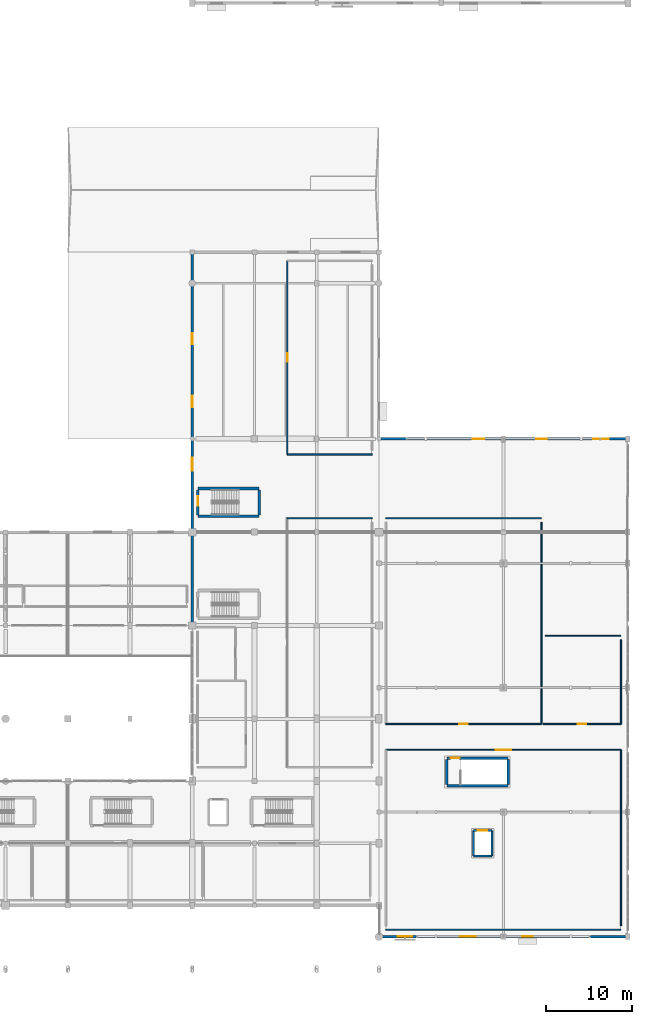
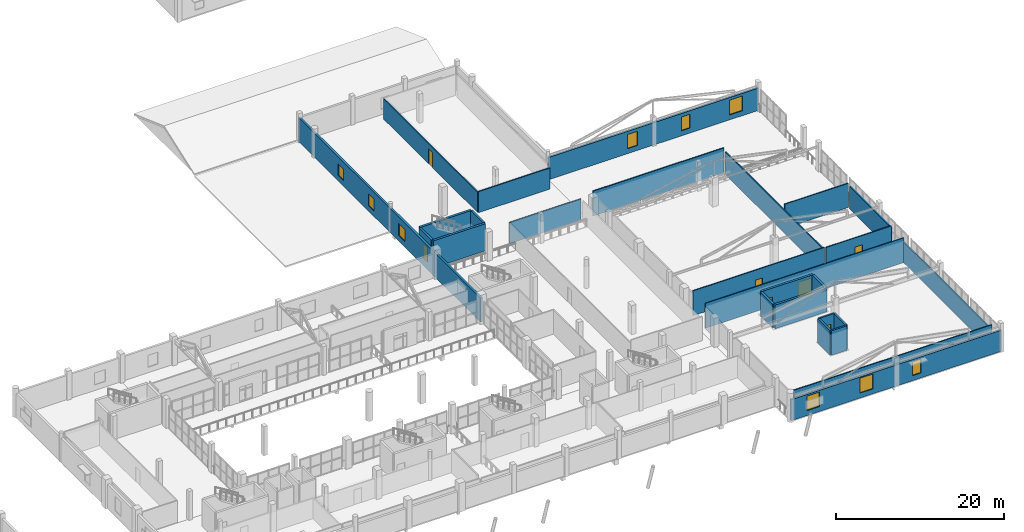
# One storey, part 70 of 92: 27 walls, 9 windows, 7 doors, 16 openings.
"""IFC4 building model written with IfcOpenShell, lengths in metres."""

from ifc_helpers import new_model, si_unit, direction, frame, frame_2d, origin, place, context, subcontext, project, spatial, rectangle, extrude, material, layer, layer_set, type_object, element, fill, save


model = new_model("IFC4")

# Units and contexts
model_context = context("Model", 3, precision=1e-05, world=origin(), true_north=direction((0.0, 1.0)))
body_context = subcontext(model_context, "Body", "Model", "MODEL_VIEW")
ifc_project = project(units=[si_unit("LENGTHUNIT", "METRE"), si_unit("AREAUNIT", "SQUARE_METRE"), si_unit("VOLUMEUNIT", "CUBIC_METRE"), si_unit("PLANEANGLEUNIT", "RADIAN"), si_unit("MASSUNIT", "GRAM", prefix="KILO")], contexts=[model_context])

# Site, building, storey
site_placement = place(None, origin())
site = spatial("IfcSite", under=ifc_project, at=site_placement, CompositionType="ELEMENT")
building_placement = place(site_placement, origin())
building = spatial("IfcBuilding", under=site, at=building_placement, Name="Solanera Park Tramway Depot", CompositionType="ELEMENT")
storey_placement = place(building_placement, frame((0.0, 0.0, 4.800048828125)))
storey = spatial("IfcBuildingStorey", under=building, at=storey_placement, Name="L01", CompositionType="ELEMENT", Elevation=4.800048828125)

# Walls
ifc_material_1 = material(Name="Concrete N32 (C32/40)", Category="concrete")
ifc_layer_1 = layer(ifc_material_1, 0.14990234375)
ifc_layer_set_1 = layer_set([ifc_layer_1], Name="Concrete N32 (C32/40)")
wall_type_1 = type_object("IfcWallType", Name="Acoustic Partition 150", PredefinedType="PARTITIONING", material=ifc_layer_set_1)
for number, where, z_axis, x_axis, name in (
    (1, (176.60009765625, 55.60009765625, 0.0), (0.0, 0.0, 1.0), (1.0, 0.0, 0.0), "Fleet Maintenance Engineering Open Plan Dividing Wall"),
    (2, (186.39990234375, 63.0, 0.0), (0.0, 0.0, 1.0), (-1.0, 0.0, 0.0), "Rolling Stock Reliability Records Office Dividing Wall"),
):
    element("IfcWall", number, at=place(storey_placement, frame(where, z_axis=z_axis, x_axis=x_axis)), inside=storey, type_object=wall_type_1, Name=name, PredefinedType="PARTITIONING", context=body_context, shape_type="SweptSolid", body=[
        extrude(rectangle(XDim=9.7998046875, YDim=0.14990234375, at=frame_2d((4.89990234375, 0.0))), origin(), (0.0, 0.0, 1.0), 3.056884765625),
    ])

# Wall, opening, door
wall_1_placement = place(storey_placement, frame((176.60009765625, 85.39990234375, 0.0), z_axis=(0.0, 0.0, 1.0), x_axis=(0.0, -1.0, 0.0)))
wall_1 = element("IfcWall", 3, at=wall_1_placement, inside=storey, type_object=wall_type_1, Name="Rolling Stock Reliability Records Office Corridor Wall", PredefinedType="PARTITIONING", context=body_context, shape_type="SweptSolid", body=[
    extrude(rectangle(XDim=22.39990234375, YDim=0.14990234375, at=frame_2d((11.199951171875, 0.0))), origin(), (0.0, 0.0, 1.0), 2.906982421875),
])
opening_1_placement = place(wall_1_placement, frame((10.719970703125, 0.0, 0.0)))
opening_1 = element("IfcOpeningElement", 4, at=opening_1_placement, cuts=wall_1, Name="Opening ID-O1L", PredefinedType="OPENING", context=body_context, shape_type="SweptSolid", body=[
    extrude(rectangle(XDim=0.9599609375, YDim=2.14990234375, at=frame_2d((0.47998046875, 1.074951171875))), frame((0.0, 0.0849609375, 0.0), z_axis=(0.0, -1.0, 0.0), x_axis=(1.0, 0.0, 0.0)), (0.0, 0.0, 1.0), 0.169921875),
])
ifc_material_2 = material(Name="Fire-rated steel or solid-core hardwood door leaf", Category="steel")
door_type_1 = type_object("IfcDoorType", Name="Office Single Door L 960x2150", OperationType="SINGLE_SWING_LEFT", PredefinedType="DOOR", material=ifc_material_2)
door_1_placement = place(opening_1_placement, origin())
door_1 = element("IfcDoor", 5, at=door_1_placement, inside=storey, type_object=door_type_1, Name="Rolling Stock Reliability Records Office Door", OperationType="SINGLE_SWING_LEFT", OverallHeight=2.14990234375, OverallWidth=0.9599609375, PredefinedType="DOOR", context=body_context, shape_type="SweptSolid", body=[
    extrude(rectangle(XDim=0.9599609375, YDim=2.14990234375, at=frame_2d((0.47998046875, 1.074951171875))), frame((0.0, 0.02490234375, 0.0), z_axis=(0.0, -1.0, 0.0), x_axis=(1.0, 0.0, 0.0)), (0.0, 0.0, 1.0), 0.050048828125),
])
fill(opening_1, door_1)

# Walls
wall_2_placement = place(storey_placement, frame((215.199951171875, 8.0, 0.0), z_axis=(0.0, 0.0, 1.0), x_axis=(-1.0, 0.0, 0.0)))
element("IfcWall", 6, at=wall_2_placement, inside=storey, type_object=wall_type_1, Name="Community Transit Forum Auditorium Dividing Wall", PredefinedType="PARTITIONING", context=body_context, shape_type="SweptSolid", body=[
    extrude(rectangle(XDim=27.199951171875, YDim=0.14990234375, at=frame_2d((13.60009765625, 0.0))), origin(), (0.0, 0.0, 1.0), 3.599853515625),
])
wall_3_placement = place(storey_placement, frame((215.199951171875, 8.449951171875, 0.0), z_axis=(0.0, 0.0, 1.0), x_axis=(0.0, 1.0, 0.0)))
element("IfcWall", 7, at=wall_3_placement, inside=storey, type_object=wall_type_1, Name="Community Transit Forum Auditorium Dividing Wall", PredefinedType="PARTITIONING", context=body_context, shape_type="SweptSolid", body=[
    extrude(rectangle(XDim=20.35009765625, YDim=0.14990234375, at=frame_2d((10.175048828125, 0.0))), origin(), (0.0, 0.0, 1.0), 2.979248046875),
])
wall_4_placement = place(storey_placement, frame((188.0, 55.60009765625, 0.0), z_axis=(0.0, 0.0, 1.0), x_axis=(1.0, 0.0, 0.0)))
element("IfcWall", 8, at=wall_4_placement, inside=storey, type_object=wall_type_1, Name="Tropical Transit Archive Reading Room Dividing Wall", PredefinedType="PARTITIONING", context=body_context, shape_type="SweptSolid", body=[
    extrude(rectangle(XDim=18.0, YDim=0.14990234375, at=frame_2d((9.0, 0.0))), origin(), (0.0, 0.0, 1.0), 3.599853515625),
])
wall_5_placement = place(storey_placement, frame((206.0, 31.800048828125, 0.0), z_axis=(0.0, 0.0, 1.0), x_axis=(0.0, 1.0, 0.0)))
element("IfcWall", 9, at=wall_5_placement, inside=storey, type_object=wall_type_1, Name="Tropical Transit Archive Reading Room Dividing Wall", PredefinedType="PARTITIONING", context=body_context, shape_type="SweptSolid", body=[
    extrude(rectangle(XDim=23.349853515625, YDim=0.14990234375, at=frame_2d((11.6748046875, 0.0))), origin(), (0.0, 0.0, 1.0), 3.28369140625),
])

# Wall, opening, door
wall_6_placement = place(storey_placement, frame((206.0, 31.800048828125, 0.0), z_axis=(0.0, 0.0, 1.0), x_axis=(-1.0, 0.0, 0.0)))
wall_6 = element("IfcWall", 10, at=wall_6_placement, inside=storey, type_object=wall_type_1, Name="Tropical Transit Archive Reading Room Corridor Wall", PredefinedType="PARTITIONING", context=body_context, shape_type="SweptSolid", body=[
    extrude(rectangle(XDim=18.0, YDim=0.14990234375, at=frame_2d((9.0, 0.0))), origin(), (0.0, 0.0, 1.0), 3.599853515625),
])
opening_2_placement = place(wall_6_placement, frame((8.52001953125, 0.0, 0.0)))
opening_2 = element("IfcOpeningElement", 11, at=opening_2_placement, cuts=wall_6, Name="Opening ID-O1L", PredefinedType="OPENING", context=body_context, shape_type="SweptSolid", body=[
    extrude(rectangle(XDim=0.9599609375, YDim=2.14990234375, at=frame_2d((0.47998046875, 1.074951171875))), frame((0.0, 0.0849609375, 0.0), z_axis=(0.0, -1.0, 0.0), x_axis=(1.0, 0.0, 0.0)), (0.0, 0.0, 1.0), 0.169921875),
])
door_2_placement = place(opening_2_placement, origin())
door_2 = element("IfcDoor", 12, at=door_2_placement, inside=storey, type_object=door_type_1, Name="Tropical Transit Archive Reading Room Door", OperationType="SINGLE_SWING_LEFT", OverallHeight=2.14990234375, OverallWidth=0.9599609375, PredefinedType="DOOR", context=body_context, shape_type="SweptSolid", body=[
    extrude(rectangle(XDim=0.9599609375, YDim=2.14990234375, at=frame_2d((0.47998046875, 1.074951171875))), frame((0.0, 0.02490234375, 0.0), z_axis=(0.0, -1.0, 0.0), x_axis=(1.0, 0.0, 0.0)), (0.0, 0.0, 1.0), 0.050048828125),
])
fill(opening_2, door_2)

# Walls
ifc_material_3 = material(Name="Concrete N40 (C40/50)", Category="concrete")
ifc_layer_2 = layer(ifc_material_3, 0.300048828125)
ifc_layer_set_2 = layer_set([ifc_layer_2], Name="Concrete N40 (C40/50)")
wall_type_2 = type_object("IfcWallType", Name="Core Shear Wall 300", PredefinedType="SHEAR", material=ifc_layer_set_2)
for number, where, z_axis, x_axis, name in (
    (13, (166.25, 55.85009765625, 0.0), (0.0, 0.0, 1.0), (1.0, 0.0, 0.0), "ST-06 L01 Shear Core Wall S"),
    (14, (173.35009765625, 59.050048828125, 0.0), (0.0, 0.0, 1.0), (-1.0, 0.0, 0.0), "ST-06 L01 Shear Core Wall N"),
):
    element("IfcWall", number, at=place(storey_placement, frame(where, z_axis=z_axis, x_axis=x_axis)), inside=storey, type_object=wall_type_2, Name=name, PredefinedType="SHEAR", context=body_context, shape_type="SweptSolid", body=[
        extrude(rectangle(XDim=7.10009765625, YDim=0.300048828125, at=frame_2d((3.550048828125, 0.0))), origin(), (0.0, 0.0, 1.0), 3.925048828125),
    ])
wall_7_placement = place(storey_placement, frame((173.35009765625, 56.0, 0.0), z_axis=(0.0, 0.0, 1.0), x_axis=(0.0, 1.0, 0.0)))
element("IfcWall", 15, at=wall_7_placement, inside=storey, type_object=wall_type_2, Name="ST-06 L01 Shear Core Wall E", PredefinedType="SHEAR", context=body_context, shape_type="SweptSolid", body=[
    extrude(rectangle(XDim=2.89990234375, YDim=0.300048828125, at=frame_2d((1.449951171875, 0.0))), origin(), (0.0, 0.0, 1.0), 3.925048828125),
])

# Wall, opening, door
wall_8_placement = place(storey_placement, frame((166.25, 58.89990234375, 0.0), z_axis=(0.0, 0.0, 1.0), x_axis=(0.0, -1.0, 0.0)))
wall_8 = element("IfcWall", 16, at=wall_8_placement, inside=storey, type_object=wall_type_2, Name="ST-06 L01 Shear Core Wall W", PredefinedType="SHEAR", context=body_context, shape_type="SweptSolid", body=[
    extrude(rectangle(XDim=2.89990234375, YDim=0.300048828125, at=frame_2d((1.449951171875, 0.0))), origin(), (0.0, 0.0, 1.0), 3.925048828125),
])
opening_3_placement = place(wall_8_placement, frame((0.75, 0.0, 0.0)))
opening_3 = element("IfcOpeningElement", 17, at=opening_3_placement, cuts=wall_8, Name="Opening FD-S1R", PredefinedType="OPENING", context=body_context, shape_type="SweptSolid", body=[
    extrude(rectangle(XDim=1.070068359375, YDim=2.14990234375, at=frame_2d((0.53515625, 1.074951171875))), frame((0.0, 0.16015625, 0.0), z_axis=(0.0, -1.0, 0.0), x_axis=(1.0, 0.0, 0.0)), (0.0, 0.0, 1.0), 0.320068359375),
])
ifc_material_4 = material(Name="Fire-rated steel or solid-core hardwood door leaf", Category="steel")
door_type_2 = type_object("IfcDoorType", Name="Stair Fire Door R 1070x2150", OperationType="SINGLE_SWING_RIGHT", PredefinedType="DOOR", material=ifc_material_4)
door_3_placement = place(opening_3_placement, origin())
door_3 = element("IfcDoor", 18, at=door_3_placement, inside=storey, type_object=door_type_2, Name="ST-06 L01 Stair Fire Door", OperationType="SINGLE_SWING_RIGHT", OverallHeight=2.14990234375, OverallWidth=1.070068359375, PredefinedType="DOOR", context=body_context, shape_type="SweptSolid", body=[
    extrude(rectangle(XDim=1.070068359375, YDim=2.14990234375, at=frame_2d((0.53515625, 1.074951171875))), frame((0.0, 0.02490234375, 0.0), z_axis=(0.0, -1.0, 0.0), x_axis=(1.0, 0.0, 0.0)), (0.0, 0.0, 1.0), 0.050048828125),
])
fill(opening_3, door_3)

# Wall
wall_9_placement = place(storey_placement, frame((195.050048828125, 24.64990234375, 0.0), z_axis=(0.0, 0.0, 1.0), x_axis=(1.0, 0.0, 0.0)))
element("IfcWall", 19, at=wall_9_placement, inside=storey, type_object=wall_type_2, Name="ST-10 L01 Shear Core Wall S", PredefinedType="SHEAR", context=body_context, shape_type="SweptSolid", body=[
    extrude(rectangle(XDim=7.099853515625, YDim=0.300048828125, at=frame_2d((3.5498046875, 0.0))), origin(), (0.0, 0.0, 1.0), 3.449951171875),
])

# Wall, opening, door
wall_10_placement = place(storey_placement, frame((202.14990234375, 27.85009765625, 0.0), z_axis=(0.0, 0.0, 1.0), x_axis=(-1.0, 0.0, 0.0)))
wall_10 = element("IfcWall", 20, at=wall_10_placement, inside=storey, type_object=wall_type_2, Name="ST-10 L01 Shear Core Wall N", PredefinedType="SHEAR", context=body_context, shape_type="SweptSolid", body=[
    extrude(rectangle(XDim=7.099853515625, YDim=0.300048828125, at=frame_2d((3.5498046875, 0.0))), origin(), (0.0, 0.0, 1.0), 3.449951171875),
])
opening_4_placement = place(wall_10_placement, frame((5.60009765625, 0.0, 0.0)))
opening_4 = element("IfcOpeningElement", 21, at=opening_4_placement, cuts=wall_10, Name="Opening FD-S1R", PredefinedType="OPENING", context=body_context, shape_type="SweptSolid", body=[
    extrude(rectangle(XDim=1.070068359375, YDim=2.14990234375, at=frame_2d((0.53515625, 1.074951171875))), frame((0.0, 0.16015625, 0.0), z_axis=(0.0, -1.0, 0.0), x_axis=(1.0, 0.0, 0.0)), (0.0, 0.0, 1.0), 0.320068359375),
])
door_4_placement = place(opening_4_placement, origin())
door_4 = element("IfcDoor", 22, at=door_4_placement, inside=storey, type_object=door_type_2, Name="ST-10 L01 Stair Fire Door", OperationType="SINGLE_SWING_RIGHT", OverallHeight=2.14990234375, OverallWidth=1.070068359375, PredefinedType="DOOR", context=body_context, shape_type="SweptSolid", body=[
    extrude(rectangle(XDim=1.070068359375, YDim=2.14990234375, at=frame_2d((0.53515625, 1.074951171875))), frame((0.0, 0.02490234375, 0.0), z_axis=(0.0, -1.0, 0.0), x_axis=(1.0, 0.0, 0.0)), (0.0, 0.0, 1.0), 0.050048828125),
])
fill(opening_4, door_4)

# Walls
for number, where, z_axis, x_axis, name in (
    (23, (202.14990234375, 24.800048828125, 0.0), (0.0, 0.0, 1.0), (0.0, 1.0, 0.0), "ST-10 L01 Shear Core Wall E"),
    (24, (195.050048828125, 27.699951171875, 0.0), (0.0, 0.0, 1.0), (0.0, -1.0, 0.0), "ST-10 L01 Shear Core Wall W"),
):
    element("IfcWall", number, at=place(storey_placement, frame(where, z_axis=z_axis, x_axis=x_axis)), inside=storey, type_object=wall_type_2, Name=name, PredefinedType="SHEAR", context=body_context, shape_type="SweptSolid", body=[
        extrude(rectangle(XDim=2.89990234375, YDim=0.300048828125, at=frame_2d((1.449951171875, 0.0))), origin(), (0.0, 0.0, 1.0), 3.449951171875),
    ])

# Wall, openings, windows
ifc_material_5 = material(Name="Concrete N32 (C32/40)", Category="concrete")
ifc_layer_3 = layer(ifc_material_5, 0.280029296875)
ifc_layer_set_3 = layer_set([ifc_layer_3], Name="Concrete N32 (C32/40)")
wall_type_3 = type_object("IfcWallType", Name="Ext Stucco Wall 280", PredefinedType="SOLIDWALL", material=ifc_layer_set_3)
wall_11_placement = place(storey_placement, frame((165.60009765625, 86.39990234375, 0.0), z_axis=(0.0, 0.0, 1.0), x_axis=(0.0, -1.0, 0.0)))
wall_11 = element("IfcWall", 25, at=wall_11_placement, inside=storey, type_object=wall_type_3, Name="L01 Exterior Wall #028", PredefinedType="SOLIDWALL", context=body_context, shape_type="SweptSolid", body=[
    extrude(rectangle(XDim=43.199951171875, YDim=0.280029296875, at=frame_2d((21.60009765625, 0.0))), origin(), (0.0, 0.0, 1.0), 3.5),
])
opening_5_placement = place(wall_11_placement, frame((9.39990234375, 0.0, 0.780029296875)))
opening_5 = element("IfcOpeningElement", 26, at=opening_5_placement, cuts=wall_11, Name="Opening WN-C12", PredefinedType="OPENING", context=body_context, shape_type="SweptSolid", body=[
    extrude(rectangle(XDim=1.25, YDim=1.699951171875, at=frame_2d((0.625, 0.85009765625))), frame((0.0, 0.14990234375, 0.0), z_axis=(0.0, -1.0, 0.0), x_axis=(1.0, 0.0, 0.0)), (0.0, 0.0, 1.0), 0.300048828125),
])
opening_6_placement = place(wall_11_placement, frame((16.60009765625, 0.0, 0.780029296875)))
opening_6 = element("IfcOpeningElement", 27, at=opening_6_placement, cuts=wall_11, Name="Opening WN-C13", PredefinedType="OPENING", context=body_context, shape_type="SweptSolid", body=[
    extrude(rectangle(XDim=1.35009765625, YDim=1.75, at=frame_2d((0.675048828125, 0.875))), frame((0.0, 0.14990234375, 0.0), z_axis=(0.0, -1.0, 0.0), x_axis=(1.0, 0.0, 0.0)), (0.0, 0.0, 1.0), 0.300048828125),
])
opening_7_placement = place(wall_11_placement, frame((23.800048828125, 0.0, 0.780029296875)))
opening_7 = element("IfcOpeningElement", 28, at=opening_7_placement, cuts=wall_11, Name="Opening WN-C15", PredefinedType="OPENING", context=body_context, shape_type="SweptSolid", body=[
    extrude(rectangle(XDim=1.5, YDim=1.75, at=frame_2d((0.75, 0.875))), frame((0.0, 0.14990234375, 0.0), z_axis=(0.0, -1.0, 0.0), x_axis=(1.0, 0.0, 0.0)), (0.0, 0.0, 1.0), 0.300048828125),
])
ifc_material_6 = material(Name="Powder-coated aluminium frame with solar-control double glazing", Category="aluminium")
window_type_1 = type_object("IfcWindowType", Name="Cloister Casement Window 1250x1700", PartitioningType="SINGLE_PANEL", PredefinedType="WINDOW", material=ifc_material_6)
window_1_placement = place(opening_5_placement, origin())
window_1 = element("IfcWindow", 29, at=window_1_placement, inside=storey, type_object=window_type_1, Name="L01 Cloister Casement Window 1250x1700 #0128", OverallHeight=1.699951171875, OverallWidth=1.25, PartitioningType="SINGLE_PANEL", PredefinedType="WINDOW", context=body_context, shape_type="SweptSolid", body=[
    extrude(rectangle(XDim=1.25, YDim=1.699951171875, at=frame_2d((0.625, 0.85009765625))), frame((0.0, 0.030029296875, 0.0), z_axis=(0.0, -1.0, 0.0), x_axis=(1.0, 0.0, 0.0)), (0.0, 0.0, 1.0), 0.06005859375),
])
fill(opening_5, window_1)
ifc_material_7 = material(Name="Powder-coated aluminium frame with solar-control double glazing", Category="aluminium")
window_type_2 = type_object("IfcWindowType", Name="Cloister Casement Window 1350x1750", PartitioningType="SINGLE_PANEL", PredefinedType="WINDOW", material=ifc_material_7)
window_2_placement = place(opening_6_placement, origin())
window_2 = element("IfcWindow", 30, at=window_2_placement, inside=storey, type_object=window_type_2, Name="L01 Cloister Casement Window 1350x1750 #0129", OverallHeight=1.75, OverallWidth=1.35009765625, PartitioningType="SINGLE_PANEL", PredefinedType="WINDOW", context=body_context, shape_type="SweptSolid", body=[
    extrude(rectangle(XDim=1.35009765625, YDim=1.75, at=frame_2d((0.675048828125, 0.875))), frame((0.0, 0.030029296875, 0.0), z_axis=(0.0, -1.0, 0.0), x_axis=(1.0, 0.0, 0.0)), (0.0, 0.0, 1.0), 0.06005859375),
])
fill(opening_6, window_2)
ifc_material_8 = material(Name="Powder-coated aluminium frame with solar-control double glazing", Category="aluminium")
window_type_3 = type_object("IfcWindowType", Name="Cloister Casement Window 1500x1750", PartitioningType="SINGLE_PANEL", PredefinedType="WINDOW", material=ifc_material_8)
window_3_placement = place(opening_7_placement, origin())
window_3 = element("IfcWindow", 31, at=window_3_placement, inside=storey, type_object=window_type_3, Name="L01 Cloister Casement Window 1500x1750 #0130", OverallHeight=1.75, OverallWidth=1.5, PartitioningType="SINGLE_PANEL", PredefinedType="WINDOW", context=body_context, shape_type="SweptSolid", body=[
    extrude(rectangle(XDim=1.5, YDim=1.75, at=frame_2d((0.75, 0.875))), frame((0.0, 0.030029296875, 0.0), z_axis=(0.0, -1.0, 0.0), x_axis=(1.0, 0.0, 0.0)), (0.0, 0.0, 1.0), 0.06005859375),
])
fill(opening_7, window_3)

wall_12_placement = place(storey_placement, frame((187.199951171875, 7.199951171875, 0.0), z_axis=(0.0, 0.0, 1.0), x_axis=(1.0, 0.0, 0.0)))
wall_12 = element("IfcWall", 32, at=wall_12_placement, inside=storey, type_object=wall_type_3, Name="L01 Exterior Wall #043", PredefinedType="SOLIDWALL", context=body_context, shape_type="SweptSolid", body=[
    extrude(rectangle(XDim=28.800048828125, YDim=0.280029296875, at=frame_2d((14.39990234375, 0.0))), origin(), (0.0, 0.0, 1.0), 3.057861328125),
])
opening_8_placement = place(wall_12_placement, frame((2.199951171875, 0.0, 0.719970703125)))
opening_8 = element("IfcOpeningElement", 33, at=opening_8_placement, cuts=wall_12, Name="Opening WN-A16", PredefinedType="OPENING", context=body_context, shape_type="SweptSolid", body=[
    extrude(rectangle(XDim=1.64990234375, YDim=2.10009765625, at=frame_2d((0.824951171875, 1.050048828125))), frame((0.0, 0.14990234375, 0.0), z_axis=(0.0, -1.0, 0.0), x_axis=(1.0, 0.0, 0.0)), (0.0, 0.0, 1.0), 0.300048828125),
])
opening_9_placement = place(wall_12_placement, frame((9.39990234375, 0.0, 0.719970703125)))
opening_9 = element("IfcOpeningElement", 34, at=opening_9_placement, cuts=wall_12, Name="Opening WN-A18", PredefinedType="OPENING", context=body_context, shape_type="SweptSolid", body=[
    extrude(rectangle(XDim=1.800048828125, YDim=2.14990234375, at=frame_2d((0.89990234375, 1.074951171875))), frame((0.0, 0.14990234375, 0.0), z_axis=(0.0, -1.0, 0.0), x_axis=(1.0, 0.0, 0.0)), (0.0, 0.0, 1.0), 0.300048828125),
])
opening_10_placement = place(wall_12_placement, frame((16.60009765625, 0.0, 0.719970703125)))
opening_10 = element("IfcOpeningElement", 35, at=opening_10_placement, cuts=wall_12, Name="Opening WN-A12", PredefinedType="OPENING", context=body_context, shape_type="SweptSolid", body=[
    extrude(rectangle(XDim=1.199951171875, YDim=2.0, at=frame_2d((0.60009765625, 1.0))), frame((0.0, 0.14990234375, 0.0), z_axis=(0.0, -1.0, 0.0), x_axis=(1.0, 0.0, 0.0)), (0.0, 0.0, 1.0), 0.300048828125),
])
ifc_material_9 = material(Name="Powder-coated aluminium frame with solar-control double glazing", Category="aluminium")
window_type_4 = type_object("IfcWindowType", Name="Deep-Reveal Arched Window 1200x2000", PartitioningType="SINGLE_PANEL", PredefinedType="WINDOW", material=ifc_material_9)
window_4_placement = place(opening_10_placement, origin())
window_4 = element("IfcWindow", 36, at=window_4_placement, inside=storey, type_object=window_type_4, Name="L01 Deep-Reveal Arched Window 1200x2000 #0172", OverallHeight=2.0, OverallWidth=1.199951171875, PartitioningType="SINGLE_PANEL", PredefinedType="WINDOW", context=body_context, shape_type="SweptSolid", body=[
    extrude(rectangle(XDim=1.199951171875, YDim=2.0, at=frame_2d((0.60009765625, 1.0))), frame((0.0, 0.030029296875, 0.0), z_axis=(0.0, -1.0, 0.0), x_axis=(1.0, 0.0, 0.0)), (0.0, 0.0, 1.0), 0.06005859375),
])
fill(opening_10, window_4)
ifc_material_10 = material(Name="Powder-coated aluminium frame with solar-control double glazing", Category="aluminium")
window_type_5 = type_object("IfcWindowType", Name="Deep-Reveal Arched Window 1650x2100", PartitioningType="SINGLE_PANEL", PredefinedType="WINDOW", material=ifc_material_10)
window_5_placement = place(opening_8_placement, origin())
window_5 = element("IfcWindow", 37, at=window_5_placement, inside=storey, type_object=window_type_5, Name="L01 Deep-Reveal Arched Window 1650x2100 #0170", OverallHeight=2.10009765625, OverallWidth=1.64990234375, PartitioningType="SINGLE_PANEL", PredefinedType="WINDOW", context=body_context, shape_type="SweptSolid", body=[
    extrude(rectangle(XDim=1.64990234375, YDim=2.10009765625, at=frame_2d((0.824951171875, 1.050048828125))), frame((0.0, 0.030029296875, 0.0), z_axis=(0.0, -1.0, 0.0), x_axis=(1.0, 0.0, 0.0)), (0.0, 0.0, 1.0), 0.06005859375),
])
fill(opening_8, window_5)
ifc_material_11 = material(Name="Powder-coated aluminium frame with solar-control double glazing", Category="aluminium")
window_type_6 = type_object("IfcWindowType", Name="Deep-Reveal Arched Window 1800x2150", PartitioningType="SINGLE_PANEL", PredefinedType="WINDOW", material=ifc_material_11)
window_6_placement = place(opening_9_placement, origin())
window_6 = element("IfcWindow", 38, at=window_6_placement, inside=storey, type_object=window_type_6, Name="L01 Deep-Reveal Arched Window 1800x2150 #0171", OverallHeight=2.14990234375, OverallWidth=1.800048828125, PartitioningType="SINGLE_PANEL", PredefinedType="WINDOW", context=body_context, shape_type="SweptSolid", body=[
    extrude(rectangle(XDim=1.800048828125, YDim=2.14990234375, at=frame_2d((0.89990234375, 1.074951171875))), frame((0.0, 0.030029296875, 0.0), z_axis=(0.0, -1.0, 0.0), x_axis=(1.0, 0.0, 0.0)), (0.0, 0.0, 1.0), 0.06005859375),
])
fill(opening_9, window_6)

wall_13_placement = place(storey_placement, frame((216.0, 64.800048828125, 0.0), z_axis=(0.0, 0.0, 1.0), x_axis=(-1.0, 0.0, 0.0)))
wall_13 = element("IfcWall", 39, at=wall_13_placement, inside=storey, type_object=wall_type_3, Name="L01 Exterior Wall #044", PredefinedType="SOLIDWALL", context=body_context, shape_type="SweptSolid", body=[
    extrude(rectangle(XDim=28.800048828125, YDim=0.280029296875, at=frame_2d((14.39990234375, 0.0))), origin(), (0.0, 0.0, 1.0), 3.2353515625),
])
opening_11_placement = place(wall_13_placement, frame((2.199951171875, 0.0, 0.719970703125)))
opening_11 = element("IfcOpeningElement", 40, at=opening_11_placement, cuts=wall_13, Name="Opening WN-A18", PredefinedType="OPENING", context=body_context, shape_type="SweptSolid", body=[
    extrude(rectangle(XDim=1.800048828125, YDim=2.14990234375, at=frame_2d((0.89990234375, 1.074951171875))), frame((0.0, 0.14990234375, 0.0), z_axis=(0.0, -1.0, 0.0), x_axis=(1.0, 0.0, 0.0)), (0.0, 0.0, 1.0), 0.300048828125),
])
opening_12_placement = place(wall_13_placement, frame((9.39990234375, 0.0, 0.719970703125)))
opening_12 = element("IfcOpeningElement", 41, at=opening_12_placement, cuts=wall_13, Name="Opening WN-A12", PredefinedType="OPENING", context=body_context, shape_type="SweptSolid", body=[
    extrude(rectangle(XDim=1.199951171875, YDim=2.0, at=frame_2d((0.60009765625, 1.0))), frame((0.0, 0.14990234375, 0.0), z_axis=(0.0, -1.0, 0.0), x_axis=(1.0, 0.0, 0.0)), (0.0, 0.0, 1.0), 0.300048828125),
])
opening_13_placement = place(wall_13_placement, frame((16.60009765625, 0.0, 0.719970703125)))
opening_13 = element("IfcOpeningElement", 42, at=opening_13_placement, cuts=wall_13, Name="Opening WN-A13", PredefinedType="OPENING", context=body_context, shape_type="SweptSolid", body=[
    extrude(rectangle(XDim=1.35009765625, YDim=2.050048828125, at=frame_2d((0.675048828125, 1.02490234375))), frame((0.0, 0.14990234375, 0.0), z_axis=(0.0, -1.0, 0.0), x_axis=(1.0, 0.0, 0.0)), (0.0, 0.0, 1.0), 0.300048828125),
])
window_7_placement = place(opening_12_placement, origin())
window_7 = element("IfcWindow", 43, at=window_7_placement, inside=storey, type_object=window_type_4, Name="L01 Deep-Reveal Arched Window 1200x2000 #0174", OverallHeight=2.0, OverallWidth=1.199951171875, PartitioningType="SINGLE_PANEL", PredefinedType="WINDOW", context=body_context, shape_type="SweptSolid", body=[
    extrude(rectangle(XDim=1.199951171875, YDim=2.0, at=frame_2d((0.60009765625, 1.0))), frame((0.0, 0.030029296875, 0.0), z_axis=(0.0, -1.0, 0.0), x_axis=(1.0, 0.0, 0.0)), (0.0, 0.0, 1.0), 0.06005859375),
])
fill(opening_12, window_7)
ifc_material_12 = material(Name="Powder-coated aluminium frame with solar-control double glazing", Category="aluminium")
window_type_7 = type_object("IfcWindowType", Name="Deep-Reveal Arched Window 1350x2050", PartitioningType="SINGLE_PANEL", PredefinedType="WINDOW", material=ifc_material_12)
window_8_placement = place(opening_13_placement, origin())
window_8 = element("IfcWindow", 44, at=window_8_placement, inside=storey, type_object=window_type_7, Name="L01 Deep-Reveal Arched Window 1350x2050 #0175", OverallHeight=2.050048828125, OverallWidth=1.35009765625, PartitioningType="SINGLE_PANEL", PredefinedType="WINDOW", context=body_context, shape_type="SweptSolid", body=[
    extrude(rectangle(XDim=1.35009765625, YDim=2.050048828125, at=frame_2d((0.675048828125, 1.02490234375))), frame((0.0, 0.030029296875, 0.0), z_axis=(0.0, -1.0, 0.0), x_axis=(1.0, 0.0, 0.0)), (0.0, 0.0, 1.0), 0.06005859375),
])
fill(opening_13, window_8)
window_9_placement = place(opening_11_placement, origin())
window_9 = element("IfcWindow", 45, at=window_9_placement, inside=storey, type_object=window_type_6, Name="L01 Deep-Reveal Arched Window 1800x2150 #0173", OverallHeight=2.14990234375, OverallWidth=1.800048828125, PartitioningType="SINGLE_PANEL", PredefinedType="WINDOW", context=body_context, shape_type="SweptSolid", body=[
    extrude(rectangle(XDim=1.800048828125, YDim=2.14990234375, at=frame_2d((0.89990234375, 1.074951171875))), frame((0.0, 0.030029296875, 0.0), z_axis=(0.0, -1.0, 0.0), x_axis=(1.0, 0.0, 0.0)), (0.0, 0.0, 1.0), 0.06005859375),
])
fill(opening_11, window_9)

# Wall
ifc_material_13 = material(Name="Concrete N40 (C40/50)", Category="concrete")
ifc_layer_4 = layer(ifc_material_13, 0.25)
ifc_layer_set_4 = layer_set([ifc_layer_4], Name="Concrete N40 (C40/50)")
wall_type_4 = type_object("IfcWallType", Name="Lift Shaft Shear Wall 250", PredefinedType="SHEAR", material=ifc_layer_set_4)
wall_14_placement = place(storey_placement, frame((198.125, 16.52490234375, 0.0), z_axis=(0.0, 0.0, 1.0), x_axis=(1.0, 0.0, 0.0)))
element("IfcWall", 46, at=wall_14_placement, inside=storey, type_object=wall_type_4, Name="LF-04 L01 Lift Shaft Wall S", PredefinedType="SHEAR", context=body_context, shape_type="SweptSolid", body=[
    extrude(rectangle(XDim=2.14990234375, YDim=0.25, at=frame_2d((1.074951171875, 0.0))), origin(), (0.0, 0.0, 1.0), 3.550048828125),
])

# Wall, opening, door
wall_15_placement = place(storey_placement, frame((200.27490234375, 19.47509765625, 0.0), z_axis=(0.0, 0.0, 1.0), x_axis=(-1.0, 0.0, 0.0)))
wall_15 = element("IfcWall", 47, at=wall_15_placement, inside=storey, type_object=wall_type_4, Name="LF-04 L01 Lift Shaft Wall N", PredefinedType="SHEAR", context=body_context, shape_type="SweptSolid", body=[
    extrude(rectangle(XDim=2.14990234375, YDim=0.25, at=frame_2d((1.074951171875, 0.0))), origin(), (0.0, 0.0, 1.0), 3.550048828125),
])
opening_14_placement = place(wall_15_placement, frame((0.52490234375, 0.0, 0.0)))
opening_14 = element("IfcOpeningElement", 48, at=opening_14_placement, cuts=wall_15, Name="Opening LD-01", PredefinedType="OPENING", context=body_context, shape_type="SweptSolid", body=[
    extrude(rectangle(XDim=1.10009765625, YDim=2.14990234375, at=frame_2d((0.550048828125, 1.074951171875))), frame((0.0, 0.135009765625, 0.0), z_axis=(0.0, -1.0, 0.0), x_axis=(1.0, 0.0, 0.0)), (0.0, 0.0, 1.0), 0.27001953125),
])
ifc_material_14 = material(Name="Fire-rated steel or solid-core hardwood door leaf", Category="steel")
door_type_3 = type_object("IfcDoorType", Name="Lift Landing Sliding Door 1100x2150", OperationType="SLIDING_TO_LEFT", PredefinedType="DOOR", material=ifc_material_14)
door_5_placement = place(opening_14_placement, origin())
door_5 = element("IfcDoor", 49, at=door_5_placement, inside=storey, type_object=door_type_3, Name="LF-04 L01 Lift Landing Sliding Door", OperationType="SLIDING_TO_LEFT", OverallHeight=2.14990234375, OverallWidth=1.10009765625, PredefinedType="DOOR", context=body_context, shape_type="SweptSolid", body=[
    extrude(rectangle(XDim=1.10009765625, YDim=2.14990234375, at=frame_2d((0.550048828125, 1.074951171875))), frame((0.0, 0.02490234375, 0.0), z_axis=(0.0, -1.0, 0.0), x_axis=(1.0, 0.0, 0.0)), (0.0, 0.0, 1.0), 0.050048828125),
])
fill(opening_14, door_5)

# Walls
for number, where, z_axis, x_axis, name in (
    (50, (198.125, 19.47509765625, 0.0), (0.0, 0.0, 1.0), (0.0, -1.0, 0.0), "LF-04 L01 Lift Shaft Wall W"),
    (51, (200.27490234375, 16.52490234375, 0.0), (0.0, 0.0, 1.0), (0.0, 1.0, 0.0), "LF-04 L01 Lift Shaft Wall E"),
):
    element("IfcWall", number, at=place(storey_placement, frame(where, z_axis=z_axis, x_axis=x_axis)), inside=storey, type_object=wall_type_4, Name=name, PredefinedType="SHEAR", context=body_context, shape_type="SweptSolid", body=[
        extrude(rectangle(XDim=2.9501953125, YDim=0.25, at=frame_2d((1.47509765625, 0.0))), origin(), (0.0, 0.0, 1.0), 3.550048828125),
    ])
ifc_material_15 = material(Name="Concrete N32 (C32/40)", Category="concrete")
ifc_layer_5 = layer(ifc_material_15, 0.139892578125)
ifc_layer_set_5 = layer_set([ifc_layer_5], Name="Concrete N32 (C32/40)")
wall_type_5 = type_object("IfcWallType", Name="Wet Area Partition 140", PredefinedType="PARTITIONING", material=ifc_layer_set_5)
wall_16_placement = place(storey_placement, frame((206.449951171875, 42.0, 0.0), z_axis=(0.0, 0.0, 1.0), x_axis=(1.0, 0.0, 0.0)))
element("IfcWall", 52, at=wall_16_placement, inside=storey, type_object=wall_type_5, Name="Upper Gallery Accessible and Public WC Dividing Wall", PredefinedType="PARTITIONING", context=body_context, shape_type="SweptSolid", body=[
    extrude(rectangle(XDim=8.75, YDim=0.139892578125, at=frame_2d((4.375, 0.0))), origin(), (0.0, 0.0, 1.0), 3.5),
])
wall_17_placement = place(storey_placement, frame((215.199951171875, 31.800048828125, 0.0), z_axis=(0.0, 0.0, 1.0), x_axis=(0.0, 1.0, 0.0)))
element("IfcWall", 53, at=wall_17_placement, inside=storey, type_object=wall_type_5, Name="Upper Gallery Accessible and Public WC Dividing Wall", PredefinedType="PARTITIONING", context=body_context, shape_type="SweptSolid", body=[
    extrude(rectangle(XDim=9.75, YDim=0.139892578125, at=frame_2d((4.875, 0.0))), origin(), (0.0, 0.0, 1.0), 3.287109375),
])

# Wall, opening, door
wall_18_placement = place(storey_placement, frame((215.199951171875, 31.800048828125, 0.0), z_axis=(0.0, 0.0, 1.0), x_axis=(-1.0, 0.0, 0.0)))
wall_18 = element("IfcWall", 54, at=wall_18_placement, inside=storey, type_object=wall_type_5, Name="Upper Gallery Accessible and Public WC Corridor Wall", PredefinedType="PARTITIONING", context=body_context, shape_type="SweptSolid", body=[
    extrude(rectangle(XDim=9.0, YDim=0.139892578125, at=frame_2d((4.5, 0.0))), origin(), (0.0, 0.0, 1.0), 3.5),
])
opening_15_placement = place(wall_18_placement, frame((4.0048828125, 0.0, 0.0)))
opening_15 = element("IfcOpeningElement", 55, at=opening_15_placement, cuts=wall_18, Name="Opening ID-W1R", PredefinedType="OPENING", context=body_context, shape_type="SweptSolid", body=[
    extrude(rectangle(XDim=0.989990234375, YDim=2.14990234375, at=frame_2d((0.4951171875, 1.074951171875))), frame((0.0, 0.080078125, 0.0), z_axis=(0.0, -1.0, 0.0), x_axis=(1.0, 0.0, 0.0)), (0.0, 0.0, 1.0), 0.159912109375),
])
ifc_material_16 = material(Name="Fire-rated steel or solid-core hardwood door leaf", Category="steel")
door_type_4 = type_object("IfcDoorType", Name="Accessible WC Door R 990x2150", OperationType="SINGLE_SWING_RIGHT", PredefinedType="DOOR", material=ifc_material_16)
door_6_placement = place(opening_15_placement, origin())
door_6 = element("IfcDoor", 56, at=door_6_placement, inside=storey, type_object=door_type_4, Name="Upper Gallery Accessible and Public WC Door", OperationType="SINGLE_SWING_RIGHT", OverallHeight=2.14990234375, OverallWidth=0.989990234375, PredefinedType="DOOR", context=body_context, shape_type="SweptSolid", body=[
    extrude(rectangle(XDim=0.989990234375, YDim=2.14990234375, at=frame_2d((0.4951171875, 1.074951171875))), frame((0.0, 0.02490234375, 0.0), z_axis=(0.0, -1.0, 0.0), x_axis=(1.0, 0.0, 0.0)), (0.0, 0.0, 1.0), 0.050048828125),
])
fill(opening_15, door_6)

ifc_material_17 = material(Name="Concrete N32 (C32/40)", Category="concrete")
ifc_layer_6 = layer(ifc_material_17, 0.110107421875)
ifc_layer_set_6 = layer_set([ifc_layer_6], Name="Concrete N32 (C32/40)")
wall_type_6 = type_object("IfcWallType", Name="Workshop Glazed Screen 110", PredefinedType="PARTITIONING", material=ifc_layer_set_6)
wall_19_placement = place(storey_placement, frame((188.0, 28.800048828125, 0.0), z_axis=(0.0, 0.0, 1.0), x_axis=(1.0, 0.0, 0.0)))
wall_19 = element("IfcWall", 57, at=wall_19_placement, inside=storey, type_object=wall_type_6, Name="Community Transit Forum Auditorium Corridor Wall", PredefinedType="PARTITIONING", context=body_context, shape_type="SweptSolid", body=[
    extrude(rectangle(XDim=27.199951171875, YDim=0.110107421875, at=frame_2d((13.60009765625, 0.0))), origin(), (0.0, 0.0, 1.0), 3.599853515625),
])
opening_16_placement = place(wall_19_placement, frame((12.699951171875, 0.0, 0.0)))
opening_16 = element("IfcOpeningElement", 58, at=opening_16_placement, cuts=wall_19, Name="Opening ID-A2D", PredefinedType="OPENING", context=body_context, shape_type="SweptSolid", body=[
    extrude(rectangle(XDim=1.800048828125, YDim=2.199951171875, at=frame_2d((0.89990234375, 1.10009765625))), frame((0.0, 0.06494140625, 0.0), z_axis=(0.0, -1.0, 0.0), x_axis=(1.0, 0.0, 0.0)), (0.0, 0.0, 1.0), 0.130126953125),
])
ifc_material_18 = material(Name="Fire-rated steel or solid-core hardwood door leaf", Category="steel")
door_type_5 = type_object("IfcDoorType", Name="Assembly Double Door 1800x2200", OperationType="DOUBLE_SWING_RIGHT", PredefinedType="DOOR", material=ifc_material_18)
door_7_placement = place(opening_16_placement, origin())
door_7 = element("IfcDoor", 59, at=door_7_placement, inside=storey, type_object=door_type_5, Name="Community Transit Forum Auditorium Door", OperationType="DOUBLE_SWING_RIGHT", OverallHeight=2.199951171875, OverallWidth=1.800048828125, PredefinedType="DOOR", context=body_context, shape_type="SweptSolid", body=[
    extrude(rectangle(XDim=1.800048828125, YDim=2.199951171875, at=frame_2d((0.89990234375, 1.10009765625))), frame((0.0, 0.02490234375, 0.0), z_axis=(0.0, -1.0, 0.0), x_axis=(1.0, 0.0, 0.0)), (0.0, 0.0, 1.0), 0.050048828125),
])
fill(opening_16, door_7)

save(model, "model.ifc")
